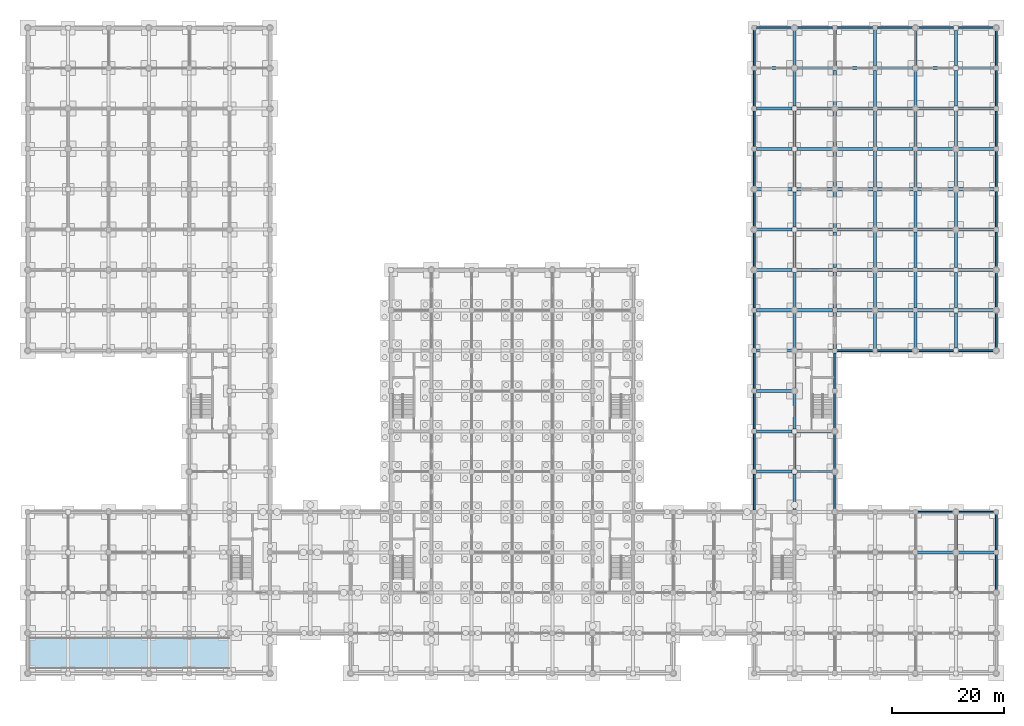
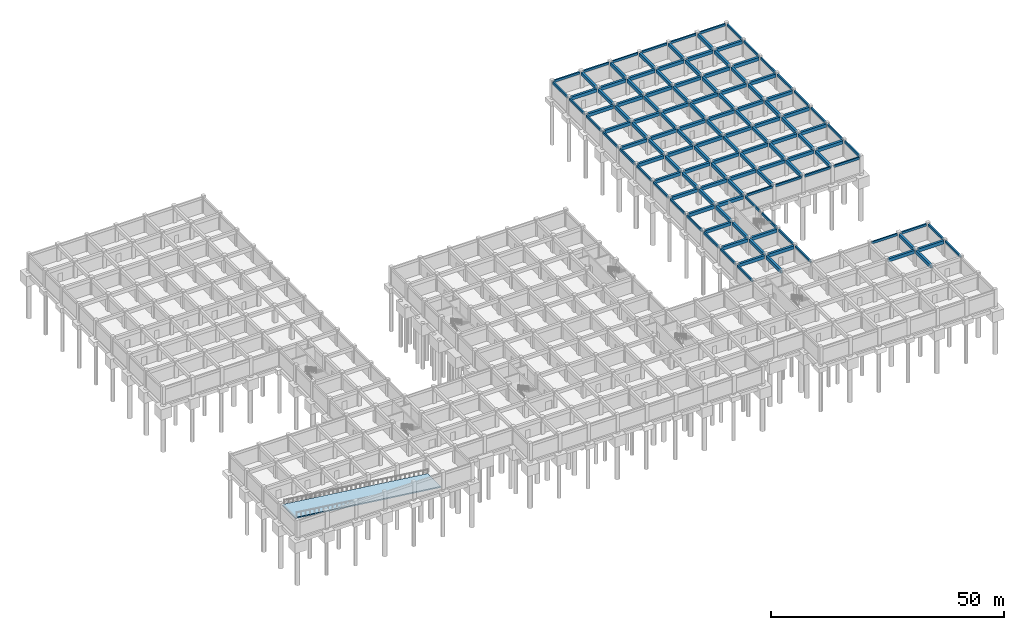
# One storey, part 12 of 25: 135 beams, 1 slab.
"""IFC4 building model written with IfcOpenShell, lengths in metres."""

from ifc_helpers import new_model, si_unit, direction, frame, origin, origin_2d, place, context, subcontext, project, spatial, polyline, rectangle, outline, extrude, material, layer, layer_set, material_profile, profile_set, type_object, element, save


model = new_model("IFC4")

# Units and contexts
model_context = context("Model", 3, precision=1e-05, world=origin(), true_north=direction((0.0, 1.0)))
body_context = subcontext(model_context, "Body", "Model", "MODEL_VIEW")
ifc_project = project(units=[si_unit("LENGTHUNIT", "METRE"), si_unit("AREAUNIT", "SQUARE_METRE"), si_unit("VOLUMEUNIT", "CUBIC_METRE"), si_unit("PLANEANGLEUNIT", "RADIAN"), si_unit("MASSUNIT", "GRAM", prefix="KILO")], contexts=[model_context])

# Site, building, storey
site_placement = place(None, origin())
site = spatial("IfcSite", under=ifc_project, at=site_placement, CompositionType="ELEMENT")
building_placement = place(site_placement, origin())
building = spatial("IfcBuilding", under=site, at=building_placement, Name="Cendaluz Park School", CompositionType="ELEMENT")
storey_placement = place(building_placement, frame((0.0, 0.0, -4.5)))
storey = spatial("IfcBuildingStorey", under=building, at=storey_placement, Name="B1", CompositionType="ELEMENT", Elevation=-4.5)

# Beams
ifc_material = material(Name="Concrete C40/50", Category="concrete")
ifc_material_profile_1 = material_profile(ifc_material, rectangle(XDim=0.550048828125, YDim=0.85009765625, at=origin_2d()), Name="RC 550x850", Category="concrete")
ifc_profile_set_1 = profile_set([ifc_material_profile_1], Name="Concrete C40/50")
beam_type_1 = type_object("IfcBeamType", Name="BM-RC01", PredefinedType="BEAM", material=ifc_profile_set_1)
for number, where, z_axis, x_axis, name in (
    (1, (130.0, 36.0, 3.72509765625), (1.0, 0.0, 0.0), (0.0, 1.0, 0.0), "BM-B1-BMRC01-0181"),
    (2, (130.0, 43.199951171875, 3.72509765625), (1.0, 0.0, 0.0), (0.0, 1.0, 0.0), "BM-B1-BMRC01-0182"),
    (3, (130.0, 50.39990234375, 3.72509765625), (1.0, 0.0, 0.0), (0.0, 1.0, 0.0), "BM-B1-BMRC01-0183"),
    (4, (130.0, 57.60009765625, 3.72509765625), (1.0, 0.0, 0.0), (0.0, 1.0, 0.0), "BM-B1-BMRC01-0184"),
    (5, (130.0, 64.800048828125, 3.72509765625), (1.0, 0.0, 0.0), (0.0, 1.0, 0.0), "BM-B1-BMRC01-0185"),
    (6, (130.0, 72.0, 3.72509765625), (1.0, 0.0, 0.0), (0.0, 1.0, 0.0), "BM-B1-BMRC01-0186"),
    (7, (130.0, 79.199951171875, 3.72509765625), (1.0, 0.0, 0.0), (0.0, 1.0, 0.0), "BM-B1-BMRC01-0187"),
    (8, (130.0, 86.39990234375, 3.72509765625), (1.0, 0.0, 0.0), (0.0, 1.0, 0.0), "BM-B1-BMRC01-0188"),
    (9, (130.0, 93.60009765625, 3.72509765625), (1.0, 0.0, 0.0), (0.0, 1.0, 0.0), "BM-B1-BMRC01-0189"),
    (10, (130.0, 100.800048828125, 3.72509765625), (1.0, 0.0, 0.0), (0.0, 1.0, 0.0), "BM-B1-BMRC01-0190"),
    (11, (130.0, 108.0, 3.72509765625), (1.0, 0.0, 0.0), (0.0, 1.0, 0.0), "BM-B1-BMRC01-0191"),
    (12, (137.25, 36.0, 3.72509765625), (1.0, 0.0, 0.0), (0.0, 1.0, 0.0), "BM-B1-BMRC01-0198"),
    (13, (137.25, 43.199951171875, 3.72509765625), (1.0, 0.0, 0.0), (0.0, 1.0, 0.0), "BM-B1-BMRC01-0199"),
    (14, (137.25, 57.60009765625, 3.72509765625), (1.0, 0.0, 0.0), (0.0, 1.0, 0.0), "BM-B1-BMRC01-0200"),
    (15, (137.25, 64.800048828125, 3.72509765625), (1.0, 0.0, 0.0), (0.0, 1.0, 0.0), "BM-B1-BMRC01-0201"),
    (16, (137.25, 72.0, 3.72509765625), (1.0, 0.0, 0.0), (0.0, 1.0, 0.0), "BM-B1-BMRC01-0202"),
    (17, (137.25, 79.199951171875, 3.72509765625), (1.0, 0.0, 0.0), (0.0, 1.0, 0.0), "BM-B1-BMRC01-0203"),
    (18, (137.25, 86.39990234375, 3.72509765625), (1.0, 0.0, 0.0), (0.0, 1.0, 0.0), "BM-B1-BMRC01-0204"),
    (19, (137.25, 93.60009765625, 3.72509765625), (1.0, 0.0, 0.0), (0.0, 1.0, 0.0), "BM-B1-BMRC01-0205"),
    (20, (137.25, 100.800048828125, 3.72509765625), (1.0, 0.0, 0.0), (0.0, 1.0, 0.0), "BM-B1-BMRC01-0206"),
    (21, (137.25, 108.0, 3.72509765625), (1.0, 0.0, 0.0), (0.0, 1.0, 0.0), "BM-B1-BMRC01-0207"),
):
    element("IfcBeam", number, at=place(storey_placement, frame(where, z_axis=z_axis, x_axis=x_axis)), inside=storey, type_object=beam_type_1, Name=name, PredefinedType="BEAM", context=body_context, shape_type="SweptSolid", body=[
        extrude(rectangle(XDim=0.550048828125, YDim=0.85009765625, at=origin_2d()), origin(), (0.0, 0.0, 1.0), 6.35009765625),
    ])
for number, where, z_axis, x_axis, name in (
    (22, (144.39990234375, 64.800048828125, 3.72509765625), (1.0, 0.0, 0.0), (0.0, 1.0, 0.0), "BM-B1-BMRC01-0215"),
    (23, (144.39990234375, 72.0, 3.72509765625), (1.0, 0.0, 0.0), (0.0, 1.0, 0.0), "BM-B1-BMRC01-0216"),
    (24, (144.39990234375, 79.199951171875, 3.72509765625), (1.0, 0.0, 0.0), (0.0, 1.0, 0.0), "BM-B1-BMRC01-0217"),
    (25, (144.39990234375, 86.39990234375, 3.72509765625), (1.0, 0.0, 0.0), (0.0, 1.0, 0.0), "BM-B1-BMRC01-0218"),
    (26, (144.39990234375, 93.60009765625, 3.72509765625), (1.0, 0.0, 0.0), (0.0, 1.0, 0.0), "BM-B1-BMRC01-0219"),
    (27, (144.39990234375, 100.800048828125, 3.72509765625), (1.0, 0.0, 0.0), (0.0, 1.0, 0.0), "BM-B1-BMRC01-0220"),
    (28, (144.39990234375, 108.0, 3.72509765625), (1.0, 0.0, 0.0), (0.0, 1.0, 0.0), "BM-B1-BMRC01-0221"),
):
    element("IfcBeam", number, at=place(storey_placement, frame(where, z_axis=z_axis, x_axis=x_axis)), inside=storey, type_object=beam_type_1, Name=name, PredefinedType="BEAM", context=body_context, shape_type="SweptSolid", body=[
        extrude(rectangle(XDim=0.550048828125, YDim=0.85009765625, at=origin_2d()), origin(), (0.0, 0.0, 1.0), 6.400146484375),
    ])
for number, where, z_axis, x_axis, name in (
    (29, (151.60009765625, 64.800048828125, 3.72509765625), (1.0, 0.0, 0.0), (0.0, 1.0, 0.0), "BM-B1-BMRC01-0229"),
    (30, (151.60009765625, 72.0, 3.72509765625), (1.0, 0.0, 0.0), (0.0, 1.0, 0.0), "BM-B1-BMRC01-0230"),
    (31, (151.60009765625, 79.199951171875, 3.72509765625), (1.0, 0.0, 0.0), (0.0, 1.0, 0.0), "BM-B1-BMRC01-0231"),
    (32, (151.60009765625, 86.39990234375, 3.72509765625), (1.0, 0.0, 0.0), (0.0, 1.0, 0.0), "BM-B1-BMRC01-0232"),
    (33, (151.60009765625, 93.60009765625, 3.72509765625), (1.0, 0.0, 0.0), (0.0, 1.0, 0.0), "BM-B1-BMRC01-0233"),
    (34, (151.60009765625, 100.800048828125, 3.72509765625), (1.0, 0.0, 0.0), (0.0, 1.0, 0.0), "BM-B1-BMRC01-0234"),
    (35, (151.60009765625, 108.0, 3.72509765625), (1.0, 0.0, 0.0), (0.0, 1.0, 0.0), "BM-B1-BMRC01-0235"),
):
    element("IfcBeam", number, at=place(storey_placement, frame(where, z_axis=z_axis, x_axis=x_axis)), inside=storey, type_object=beam_type_1, Name=name, PredefinedType="BEAM", context=body_context, shape_type="SweptSolid", body=[
        extrude(rectangle(XDim=0.550048828125, YDim=0.85009765625, at=origin_2d()), origin(), (0.0, 0.0, 1.0), 6.39990234375),
    ])
for number, where, z_axis, x_axis, name in (
    (36, (158.800048828125, 21.60009765625, 3.72509765625), (1.0, 0.0, 0.0), (0.0, 1.0, 0.0), "BM-B1-BMRC01-0240"),
    (37, (158.800048828125, 64.800048828125, 3.72509765625), (1.0, 0.0, 0.0), (0.0, 1.0, 0.0), "BM-B1-BMRC01-0243"),
    (38, (158.800048828125, 72.0, 3.72509765625), (1.0, 0.0, 0.0), (0.0, 1.0, 0.0), "BM-B1-BMRC01-0244"),
    (39, (158.800048828125, 79.199951171875, 3.72509765625), (1.0, 0.0, 0.0), (0.0, 1.0, 0.0), "BM-B1-BMRC01-0245"),
    (40, (158.800048828125, 86.39990234375, 3.72509765625), (1.0, 0.0, 0.0), (0.0, 1.0, 0.0), "BM-B1-BMRC01-0246"),
    (41, (158.800048828125, 93.60009765625, 3.72509765625), (1.0, 0.0, 0.0), (0.0, 1.0, 0.0), "BM-B1-BMRC01-0247"),
    (42, (158.800048828125, 100.800048828125, 3.72509765625), (1.0, 0.0, 0.0), (0.0, 1.0, 0.0), "BM-B1-BMRC01-0248"),
    (43, (158.800048828125, 108.0, 3.72509765625), (1.0, 0.0, 0.0), (0.0, 1.0, 0.0), "BM-B1-BMRC01-0249"),
    (44, (166.050048828125, 21.60009765625, 3.72509765625), (1.0, 0.0, 0.0), (0.0, 1.0, 0.0), "BM-B1-BMRC01-0254"),
    (45, (166.050048828125, 64.800048828125, 3.72509765625), (1.0, 0.0, 0.0), (0.0, 1.0, 0.0), "BM-B1-BMRC01-0257"),
    (46, (166.050048828125, 72.0, 3.72509765625), (1.0, 0.0, 0.0), (0.0, 1.0, 0.0), "BM-B1-BMRC01-0258"),
    (47, (166.050048828125, 79.199951171875, 3.72509765625), (1.0, 0.0, 0.0), (0.0, 1.0, 0.0), "BM-B1-BMRC01-0259"),
    (48, (166.050048828125, 86.39990234375, 3.72509765625), (1.0, 0.0, 0.0), (0.0, 1.0, 0.0), "BM-B1-BMRC01-0260"),
    (49, (166.050048828125, 93.60009765625, 3.72509765625), (1.0, 0.0, 0.0), (0.0, 1.0, 0.0), "BM-B1-BMRC01-0261"),
    (50, (166.050048828125, 100.800048828125, 3.72509765625), (1.0, 0.0, 0.0), (0.0, 1.0, 0.0), "BM-B1-BMRC01-0262"),
    (51, (166.050048828125, 108.0, 3.72509765625), (1.0, 0.0, 0.0), (0.0, 1.0, 0.0), "BM-B1-BMRC01-0263"),
):
    element("IfcBeam", number, at=place(storey_placement, frame(where, z_axis=z_axis, x_axis=x_axis)), inside=storey, type_object=beam_type_1, Name=name, PredefinedType="BEAM", context=body_context, shape_type="SweptSolid", body=[
        extrude(rectangle(XDim=0.550048828125, YDim=0.85009765625, at=origin_2d()), origin(), (0.0, 0.0, 1.0), 6.349853515625),
    ])
for number, where, z_axis, x_axis, name in (
    (52, (136.800048828125, 29.25, 3.72509765625), (0.0, 1.0, 0.0), (-1.0, 0.0, 0.0), "BM-B1-BMRC01-0464"),
    (53, (136.800048828125, 36.449951171875, 3.72509765625), (0.0, 1.0, 0.0), (-1.0, 0.0, 0.0), "BM-B1-BMRC01-0465"),
    (54, (136.800048828125, 43.64990234375, 3.72509765625), (0.0, 1.0, 0.0), (-1.0, 0.0, 0.0), "BM-B1-BMRC01-0466"),
):
    element("IfcBeam", number, at=place(storey_placement, frame(where, z_axis=z_axis, x_axis=x_axis)), inside=storey, type_object=beam_type_1, Name=name, PredefinedType="BEAM", context=body_context, shape_type="SweptSolid", body=[
        extrude(rectangle(XDim=0.550048828125, YDim=0.85009765625, at=origin_2d()), origin(), (0.0, 0.0, 1.0), 6.300048828125),
    ])
beam_1_placement = place(storey_placement, frame((136.800048828125, 50.85009765625, 3.72509765625), z_axis=(0.0, 1.0, 0.0), x_axis=(-1.0, 0.0, 0.0)))
element("IfcBeam", 55, at=beam_1_placement, inside=storey, type_object=beam_type_1, Name="BM-B1-BMRC01-0467", PredefinedType="BEAM", context=body_context, shape_type="SweptSolid", body=[
    extrude(rectangle(XDim=0.550048828125, YDim=0.85009765625, at=origin_2d()), origin(), (0.0, 0.0, 1.0), 6.2998046875),
])
for number, where, z_axis, x_axis, name in (
    (56, (136.800048828125, 58.050048828125, 3.72509765625), (0.0, 1.0, 0.0), (-1.0, 0.0, 0.0), "BM-B1-BMRC01-0468"),
    (57, (136.800048828125, 65.25, 3.72509765625), (0.0, 1.0, 0.0), (-1.0, 0.0, 0.0), "BM-B1-BMRC01-0469"),
    (58, (136.800048828125, 72.449951171875, 3.72509765625), (0.0, 1.0, 0.0), (-1.0, 0.0, 0.0), "BM-B1-BMRC01-0470"),
    (59, (136.800048828125, 79.64990234375, 3.72509765625), (0.0, 1.0, 0.0), (-1.0, 0.0, 0.0), "BM-B1-BMRC01-0471"),
):
    element("IfcBeam", number, at=place(storey_placement, frame(where, z_axis=z_axis, x_axis=x_axis)), inside=storey, type_object=beam_type_1, Name=name, PredefinedType="BEAM", context=body_context, shape_type="SweptSolid", body=[
        extrude(rectangle(XDim=0.550048828125, YDim=0.85009765625, at=origin_2d()), origin(), (0.0, 0.0, 1.0), 6.300048828125),
    ])
beam_2_placement = place(storey_placement, frame((136.800048828125, 86.85009765625, 3.72509765625), z_axis=(0.0, 1.0, 0.0), x_axis=(-1.0, 0.0, 0.0)))
element("IfcBeam", 60, at=beam_2_placement, inside=storey, type_object=beam_type_1, Name="BM-B1-BMRC01-0472", PredefinedType="BEAM", context=body_context, shape_type="SweptSolid", body=[
    extrude(rectangle(XDim=0.550048828125, YDim=0.85009765625, at=origin_2d()), origin(), (0.0, 0.0, 1.0), 6.2998046875),
])
for number, where, z_axis, x_axis, name in (
    (61, (136.800048828125, 94.050048828125, 3.72509765625), (0.0, 1.0, 0.0), (-1.0, 0.0, 0.0), "BM-B1-BMRC01-0473"),
    (62, (136.800048828125, 101.25, 3.72509765625), (0.0, 1.0, 0.0), (-1.0, 0.0, 0.0), "BM-B1-BMRC01-0474"),
    (63, (136.800048828125, 108.449951171875, 3.72509765625), (0.0, 1.0, 0.0), (-1.0, 0.0, 0.0), "BM-B1-BMRC01-0475"),
):
    element("IfcBeam", number, at=place(storey_placement, frame(where, z_axis=z_axis, x_axis=x_axis)), inside=storey, type_object=beam_type_1, Name=name, PredefinedType="BEAM", context=body_context, shape_type="SweptSolid", body=[
        extrude(rectangle(XDim=0.550048828125, YDim=0.85009765625, at=origin_2d()), origin(), (0.0, 0.0, 1.0), 6.300048828125),
    ])
beam_3_placement = place(storey_placement, frame((144.0, 58.0, 3.72509765625), z_axis=(0.0, 1.0, 0.0), x_axis=(-1.0, 0.0, 0.0)))
element("IfcBeam", 64, at=beam_3_placement, inside=storey, type_object=beam_type_1, Name="BM-B1-BMRC01-0484", PredefinedType="BEAM", context=body_context, shape_type="SweptSolid", body=[
    extrude(rectangle(XDim=0.550048828125, YDim=0.85009765625, at=origin_2d()), origin(), (0.0, 0.0, 1.0), 6.39990234375),
])
for number, where, z_axis, x_axis, name in (
    (65, (144.0, 65.199951171875, 3.72509765625), (0.0, 1.0, 0.0), (-1.0, 0.0, 0.0), "BM-B1-BMRC01-0485"),
    (66, (144.0, 72.39990234375, 3.72509765625), (0.0, 1.0, 0.0), (-1.0, 0.0, 0.0), "BM-B1-BMRC01-0486"),
):
    element("IfcBeam", number, at=place(storey_placement, frame(where, z_axis=z_axis, x_axis=x_axis)), inside=storey, type_object=beam_type_1, Name=name, PredefinedType="BEAM", context=body_context, shape_type="SweptSolid", body=[
        extrude(rectangle(XDim=0.550048828125, YDim=0.85009765625, at=origin_2d()), origin(), (0.0, 0.0, 1.0), 6.400146484375),
    ])
for number, where, z_axis, x_axis, name in (
    (67, (144.0, 79.60009765625, 3.72509765625), (0.0, 1.0, 0.0), (-1.0, 0.0, 0.0), "BM-B1-BMRC01-0487"),
    (68, (144.0, 86.800048828125, 3.72509765625), (0.0, 1.0, 0.0), (-1.0, 0.0, 0.0), "BM-B1-BMRC01-0488"),
    (69, (144.0, 94.0, 3.72509765625), (0.0, 1.0, 0.0), (-1.0, 0.0, 0.0), "BM-B1-BMRC01-0489"),
):
    element("IfcBeam", number, at=place(storey_placement, frame(where, z_axis=z_axis, x_axis=x_axis)), inside=storey, type_object=beam_type_1, Name=name, PredefinedType="BEAM", context=body_context, shape_type="SweptSolid", body=[
        extrude(rectangle(XDim=0.550048828125, YDim=0.85009765625, at=origin_2d()), origin(), (0.0, 0.0, 1.0), 6.39990234375),
    ])
for number, where, z_axis, x_axis, name in (
    (70, (144.0, 101.199951171875, 3.72509765625), (0.0, 1.0, 0.0), (-1.0, 0.0, 0.0), "BM-B1-BMRC01-0490"),
    (71, (144.0, 108.39990234375, 3.72509765625), (0.0, 1.0, 0.0), (-1.0, 0.0, 0.0), "BM-B1-BMRC01-0491"),
):
    element("IfcBeam", number, at=place(storey_placement, frame(where, z_axis=z_axis, x_axis=x_axis)), inside=storey, type_object=beam_type_1, Name=name, PredefinedType="BEAM", context=body_context, shape_type="SweptSolid", body=[
        extrude(rectangle(XDim=0.550048828125, YDim=0.85009765625, at=origin_2d()), origin(), (0.0, 0.0, 1.0), 6.400146484375),
    ])
beam_4_placement = place(storey_placement, frame((151.199951171875, 58.0, 3.72509765625), z_axis=(0.0, 1.0, 0.0), x_axis=(-1.0, 0.0, 0.0)))
element("IfcBeam", 72, at=beam_4_placement, inside=storey, type_object=beam_type_1, Name="BM-B1-BMRC01-0496", PredefinedType="BEAM", context=body_context, shape_type="SweptSolid", body=[
    extrude(rectangle(XDim=0.550048828125, YDim=0.85009765625, at=origin_2d()), origin(), (0.0, 0.0, 1.0), 6.39990234375),
])
for number, where, z_axis, x_axis, name in (
    (73, (151.199951171875, 65.199951171875, 3.72509765625), (0.0, 1.0, 0.0), (-1.0, 0.0, 0.0), "BM-B1-BMRC01-0497"),
    (74, (151.199951171875, 72.39990234375, 3.72509765625), (0.0, 1.0, 0.0), (-1.0, 0.0, 0.0), "BM-B1-BMRC01-0498"),
):
    element("IfcBeam", number, at=place(storey_placement, frame(where, z_axis=z_axis, x_axis=x_axis)), inside=storey, type_object=beam_type_1, Name=name, PredefinedType="BEAM", context=body_context, shape_type="SweptSolid", body=[
        extrude(rectangle(XDim=0.550048828125, YDim=0.85009765625, at=origin_2d()), origin(), (0.0, 0.0, 1.0), 6.400146484375),
    ])
for number, where, z_axis, x_axis, name in (
    (75, (151.199951171875, 79.60009765625, 3.72509765625), (0.0, 1.0, 0.0), (-1.0, 0.0, 0.0), "BM-B1-BMRC01-0499"),
    (76, (151.199951171875, 86.800048828125, 3.72509765625), (0.0, 1.0, 0.0), (-1.0, 0.0, 0.0), "BM-B1-BMRC01-0500"),
    (77, (151.199951171875, 94.0, 3.72509765625), (0.0, 1.0, 0.0), (-1.0, 0.0, 0.0), "BM-B1-BMRC01-0501"),
):
    element("IfcBeam", number, at=place(storey_placement, frame(where, z_axis=z_axis, x_axis=x_axis)), inside=storey, type_object=beam_type_1, Name=name, PredefinedType="BEAM", context=body_context, shape_type="SweptSolid", body=[
        extrude(rectangle(XDim=0.550048828125, YDim=0.85009765625, at=origin_2d()), origin(), (0.0, 0.0, 1.0), 6.39990234375),
    ])
for number, where, z_axis, x_axis, name in (
    (78, (151.199951171875, 101.199951171875, 3.72509765625), (0.0, 1.0, 0.0), (-1.0, 0.0, 0.0), "BM-B1-BMRC01-0502"),
    (79, (151.199951171875, 108.39990234375, 3.72509765625), (0.0, 1.0, 0.0), (-1.0, 0.0, 0.0), "BM-B1-BMRC01-0503"),
):
    element("IfcBeam", number, at=place(storey_placement, frame(where, z_axis=z_axis, x_axis=x_axis)), inside=storey, type_object=beam_type_1, Name=name, PredefinedType="BEAM", context=body_context, shape_type="SweptSolid", body=[
        extrude(rectangle(XDim=0.550048828125, YDim=0.85009765625, at=origin_2d()), origin(), (0.0, 0.0, 1.0), 6.400146484375),
    ])
beam_5_placement = place(storey_placement, frame((158.39990234375, 58.0, 3.72509765625), z_axis=(0.0, 1.0, 0.0), x_axis=(-1.0, 0.0, 0.0)))
element("IfcBeam", 80, at=beam_5_placement, inside=storey, type_object=beam_type_1, Name="BM-B1-BMRC01-0508", PredefinedType="BEAM", context=body_context, shape_type="SweptSolid", body=[
    extrude(rectangle(XDim=0.550048828125, YDim=0.85009765625, at=origin_2d()), origin(), (0.0, 0.0, 1.0), 6.39990234375),
])
for number, where, z_axis, x_axis, name in (
    (81, (158.39990234375, 65.199951171875, 3.72509765625), (0.0, 1.0, 0.0), (-1.0, 0.0, 0.0), "BM-B1-BMRC01-0509"),
    (82, (158.39990234375, 72.39990234375, 3.72509765625), (0.0, 1.0, 0.0), (-1.0, 0.0, 0.0), "BM-B1-BMRC01-0510"),
):
    element("IfcBeam", number, at=place(storey_placement, frame(where, z_axis=z_axis, x_axis=x_axis)), inside=storey, type_object=beam_type_1, Name=name, PredefinedType="BEAM", context=body_context, shape_type="SweptSolid", body=[
        extrude(rectangle(XDim=0.550048828125, YDim=0.85009765625, at=origin_2d()), origin(), (0.0, 0.0, 1.0), 6.400146484375),
    ])
for number, where, z_axis, x_axis, name in (
    (83, (158.39990234375, 79.60009765625, 3.72509765625), (0.0, 1.0, 0.0), (-1.0, 0.0, 0.0), "BM-B1-BMRC01-0511"),
    (84, (158.39990234375, 86.800048828125, 3.72509765625), (0.0, 1.0, 0.0), (-1.0, 0.0, 0.0), "BM-B1-BMRC01-0512"),
    (85, (158.39990234375, 94.0, 3.72509765625), (0.0, 1.0, 0.0), (-1.0, 0.0, 0.0), "BM-B1-BMRC01-0513"),
):
    element("IfcBeam", number, at=place(storey_placement, frame(where, z_axis=z_axis, x_axis=x_axis)), inside=storey, type_object=beam_type_1, Name=name, PredefinedType="BEAM", context=body_context, shape_type="SweptSolid", body=[
        extrude(rectangle(XDim=0.550048828125, YDim=0.85009765625, at=origin_2d()), origin(), (0.0, 0.0, 1.0), 6.39990234375),
    ])
for number, where, z_axis, x_axis, name in (
    (86, (158.39990234375, 101.199951171875, 3.72509765625), (0.0, 1.0, 0.0), (-1.0, 0.0, 0.0), "BM-B1-BMRC01-0514"),
    (87, (158.39990234375, 108.39990234375, 3.72509765625), (0.0, 1.0, 0.0), (-1.0, 0.0, 0.0), "BM-B1-BMRC01-0515"),
):
    element("IfcBeam", number, at=place(storey_placement, frame(where, z_axis=z_axis, x_axis=x_axis)), inside=storey, type_object=beam_type_1, Name=name, PredefinedType="BEAM", context=body_context, shape_type="SweptSolid", body=[
        extrude(rectangle(XDim=0.550048828125, YDim=0.85009765625, at=origin_2d()), origin(), (0.0, 0.0, 1.0), 6.400146484375),
    ])
beam_6_placement = place(storey_placement, frame((165.60009765625, 14.85009765625, 3.72509765625), z_axis=(0.0, 1.0, 0.0), x_axis=(-1.0, 0.0, 0.0)))
element("IfcBeam", 88, at=beam_6_placement, inside=storey, type_object=beam_type_1, Name="BM-B1-BMRC01-0518", PredefinedType="BEAM", context=body_context, shape_type="SweptSolid", body=[
    extrude(rectangle(XDim=0.550048828125, YDim=0.85009765625, at=origin_2d()), origin(), (0.0, 0.0, 1.0), 6.2998046875),
])
for number, where, z_axis, x_axis, name in (
    (89, (165.60009765625, 22.050048828125, 3.72509765625), (0.0, 1.0, 0.0), (-1.0, 0.0, 0.0), "BM-B1-BMRC01-0519"),
    (90, (165.60009765625, 58.050048828125, 3.72509765625), (0.0, 1.0, 0.0), (-1.0, 0.0, 0.0), "BM-B1-BMRC01-0520"),
    (91, (165.60009765625, 65.25, 3.72509765625), (0.0, 1.0, 0.0), (-1.0, 0.0, 0.0), "BM-B1-BMRC01-0521"),
    (92, (165.60009765625, 72.449951171875, 3.72509765625), (0.0, 1.0, 0.0), (-1.0, 0.0, 0.0), "BM-B1-BMRC01-0522"),
    (93, (165.60009765625, 79.64990234375, 3.72509765625), (0.0, 1.0, 0.0), (-1.0, 0.0, 0.0), "BM-B1-BMRC01-0523"),
):
    element("IfcBeam", number, at=place(storey_placement, frame(where, z_axis=z_axis, x_axis=x_axis)), inside=storey, type_object=beam_type_1, Name=name, PredefinedType="BEAM", context=body_context, shape_type="SweptSolid", body=[
        extrude(rectangle(XDim=0.550048828125, YDim=0.85009765625, at=origin_2d()), origin(), (0.0, 0.0, 1.0), 6.300048828125),
    ])
beam_7_placement = place(storey_placement, frame((165.60009765625, 86.85009765625, 3.72509765625), z_axis=(0.0, 1.0, 0.0), x_axis=(-1.0, 0.0, 0.0)))
element("IfcBeam", 94, at=beam_7_placement, inside=storey, type_object=beam_type_1, Name="BM-B1-BMRC01-0524", PredefinedType="BEAM", context=body_context, shape_type="SweptSolid", body=[
    extrude(rectangle(XDim=0.550048828125, YDim=0.85009765625, at=origin_2d()), origin(), (0.0, 0.0, 1.0), 6.2998046875),
])
for number, where, z_axis, x_axis, name in (
    (95, (165.60009765625, 94.050048828125, 3.72509765625), (0.0, 1.0, 0.0), (-1.0, 0.0, 0.0), "BM-B1-BMRC01-0525"),
    (96, (165.60009765625, 101.25, 3.72509765625), (0.0, 1.0, 0.0), (-1.0, 0.0, 0.0), "BM-B1-BMRC01-0526"),
    (97, (165.60009765625, 108.449951171875, 3.72509765625), (0.0, 1.0, 0.0), (-1.0, 0.0, 0.0), "BM-B1-BMRC01-0527"),
):
    element("IfcBeam", number, at=place(storey_placement, frame(where, z_axis=z_axis, x_axis=x_axis)), inside=storey, type_object=beam_type_1, Name=name, PredefinedType="BEAM", context=body_context, shape_type="SweptSolid", body=[
        extrude(rectangle(XDim=0.550048828125, YDim=0.85009765625, at=origin_2d()), origin(), (0.0, 0.0, 1.0), 6.300048828125),
    ])
ifc_material_profile_2 = material_profile(ifc_material, rectangle(XDim=0.35009765625, YDim=0.580078125, at=origin_2d()), Name="RC 350x580", Category="concrete")
ifc_profile_set_2 = profile_set([ifc_material_profile_2], Name="Concrete C40/50")
beam_type_2 = type_object("IfcBeamType", Name="BM-RC04", PredefinedType="LINTEL", material=ifc_profile_set_2)
for number, where, z_axis, x_axis, name in (
    (98, (130.0, 115.199951171875, 3.860107421875), (1.0, 0.0, 0.0), (0.0, 1.0, 0.0), "BM-B1-BMRC04-0192"),
    (99, (137.25, 115.199951171875, 3.860107421875), (1.0, 0.0, 0.0), (0.0, 1.0, 0.0), "BM-B1-BMRC04-0208"),
):
    element("IfcBeam", number, at=place(storey_placement, frame(where, z_axis=z_axis, x_axis=x_axis)), inside=storey, type_object=beam_type_2, Name=name, PredefinedType="LINTEL", context=body_context, shape_type="SweptSolid", body=[
        extrude(rectangle(XDim=0.35009765625, YDim=0.580078125, at=origin_2d()), origin(), (0.0, 0.0, 1.0), 6.35009765625),
    ])
for number, where, z_axis, x_axis, name in (
    (100, (144.39990234375, 57.60009765625, 3.860107421875), (1.0, 0.0, 0.0), (0.0, 1.0, 0.0), "BM-B1-BMRC04-0214"),
    (101, (144.39990234375, 115.199951171875, 3.860107421875), (1.0, 0.0, 0.0), (0.0, 1.0, 0.0), "BM-B1-BMRC04-0222"),
):
    element("IfcBeam", number, at=place(storey_placement, frame(where, z_axis=z_axis, x_axis=x_axis)), inside=storey, type_object=beam_type_2, Name=name, PredefinedType="LINTEL", context=body_context, shape_type="SweptSolid", body=[
        extrude(rectangle(XDim=0.35009765625, YDim=0.580078125, at=origin_2d()), origin(), (0.0, 0.0, 1.0), 6.400146484375),
    ])
for number, where, z_axis, x_axis, name in (
    (102, (151.60009765625, 57.60009765625, 3.860107421875), (1.0, 0.0, 0.0), (0.0, 1.0, 0.0), "BM-B1-BMRC04-0228"),
    (103, (151.60009765625, 115.199951171875, 3.860107421875), (1.0, 0.0, 0.0), (0.0, 1.0, 0.0), "BM-B1-BMRC04-0236"),
):
    element("IfcBeam", number, at=place(storey_placement, frame(where, z_axis=z_axis, x_axis=x_axis)), inside=storey, type_object=beam_type_2, Name=name, PredefinedType="LINTEL", context=body_context, shape_type="SweptSolid", body=[
        extrude(rectangle(XDim=0.35009765625, YDim=0.580078125, at=origin_2d()), origin(), (0.0, 0.0, 1.0), 6.39990234375),
    ])
for number, where, z_axis, x_axis, name in (
    (104, (158.800048828125, 28.800048828125, 3.860107421875), (1.0, 0.0, 0.0), (0.0, 1.0, 0.0), "BM-B1-BMRC04-0241"),
    (105, (158.800048828125, 57.60009765625, 3.860107421875), (1.0, 0.0, 0.0), (0.0, 1.0, 0.0), "BM-B1-BMRC04-0242"),
    (106, (158.800048828125, 115.199951171875, 3.860107421875), (1.0, 0.0, 0.0), (0.0, 1.0, 0.0), "BM-B1-BMRC04-0250"),
    (107, (166.050048828125, 28.800048828125, 3.860107421875), (1.0, 0.0, 0.0), (0.0, 1.0, 0.0), "BM-B1-BMRC04-0255"),
    (108, (166.050048828125, 57.60009765625, 3.860107421875), (1.0, 0.0, 0.0), (0.0, 1.0, 0.0), "BM-B1-BMRC04-0256"),
    (109, (166.050048828125, 115.199951171875, 3.860107421875), (1.0, 0.0, 0.0), (0.0, 1.0, 0.0), "BM-B1-BMRC04-0264"),
):
    element("IfcBeam", number, at=place(storey_placement, frame(where, z_axis=z_axis, x_axis=x_axis)), inside=storey, type_object=beam_type_2, Name=name, PredefinedType="LINTEL", context=body_context, shape_type="SweptSolid", body=[
        extrude(rectangle(XDim=0.35009765625, YDim=0.580078125, at=origin_2d()), origin(), (0.0, 0.0, 1.0), 6.349853515625),
    ])
for number, where, z_axis, x_axis, name in (
    (110, (129.60009765625, 29.199951171875, 3.860107421875), (0.0, 1.0, 0.0), (-1.0, 0.0, 0.0), "BM-B1-BMRC04-0448"),
    (111, (129.60009765625, 36.39990234375, 3.860107421875), (0.0, 1.0, 0.0), (-1.0, 0.0, 0.0), "BM-B1-BMRC04-0449"),
):
    element("IfcBeam", number, at=place(storey_placement, frame(where, z_axis=z_axis, x_axis=x_axis)), inside=storey, type_object=beam_type_2, Name=name, PredefinedType="LINTEL", context=body_context, shape_type="SweptSolid", body=[
        extrude(rectangle(XDim=0.35009765625, YDim=0.580078125, at=origin_2d()), origin(), (0.0, 0.0, 1.0), 6.400146484375),
    ])
for number, where, z_axis, x_axis, name in (
    (112, (129.60009765625, 43.60009765625, 3.860107421875), (0.0, 1.0, 0.0), (-1.0, 0.0, 0.0), "BM-B1-BMRC04-0450"),
    (113, (129.60009765625, 50.800048828125, 3.860107421875), (0.0, 1.0, 0.0), (-1.0, 0.0, 0.0), "BM-B1-BMRC04-0451"),
    (114, (129.60009765625, 58.0, 3.860107421875), (0.0, 1.0, 0.0), (-1.0, 0.0, 0.0), "BM-B1-BMRC04-0452"),
):
    element("IfcBeam", number, at=place(storey_placement, frame(where, z_axis=z_axis, x_axis=x_axis)), inside=storey, type_object=beam_type_2, Name=name, PredefinedType="LINTEL", context=body_context, shape_type="SweptSolid", body=[
        extrude(rectangle(XDim=0.35009765625, YDim=0.580078125, at=origin_2d()), origin(), (0.0, 0.0, 1.0), 6.39990234375),
    ])
for number, where, z_axis, x_axis, name in (
    (115, (129.60009765625, 65.199951171875, 3.860107421875), (0.0, 1.0, 0.0), (-1.0, 0.0, 0.0), "BM-B1-BMRC04-0453"),
    (116, (129.60009765625, 72.39990234375, 3.860107421875), (0.0, 1.0, 0.0), (-1.0, 0.0, 0.0), "BM-B1-BMRC04-0454"),
):
    element("IfcBeam", number, at=place(storey_placement, frame(where, z_axis=z_axis, x_axis=x_axis)), inside=storey, type_object=beam_type_2, Name=name, PredefinedType="LINTEL", context=body_context, shape_type="SweptSolid", body=[
        extrude(rectangle(XDim=0.35009765625, YDim=0.580078125, at=origin_2d()), origin(), (0.0, 0.0, 1.0), 6.400146484375),
    ])
for number, where, z_axis, x_axis, name in (
    (117, (129.60009765625, 79.60009765625, 3.860107421875), (0.0, 1.0, 0.0), (-1.0, 0.0, 0.0), "BM-B1-BMRC04-0455"),
    (118, (129.60009765625, 86.800048828125, 3.860107421875), (0.0, 1.0, 0.0), (-1.0, 0.0, 0.0), "BM-B1-BMRC04-0456"),
    (119, (129.60009765625, 94.0, 3.860107421875), (0.0, 1.0, 0.0), (-1.0, 0.0, 0.0), "BM-B1-BMRC04-0457"),
):
    element("IfcBeam", number, at=place(storey_placement, frame(where, z_axis=z_axis, x_axis=x_axis)), inside=storey, type_object=beam_type_2, Name=name, PredefinedType="LINTEL", context=body_context, shape_type="SweptSolid", body=[
        extrude(rectangle(XDim=0.35009765625, YDim=0.580078125, at=origin_2d()), origin(), (0.0, 0.0, 1.0), 6.39990234375),
    ])
for number, where, z_axis, x_axis, name in (
    (120, (129.60009765625, 101.199951171875, 3.860107421875), (0.0, 1.0, 0.0), (-1.0, 0.0, 0.0), "BM-B1-BMRC04-0458"),
    (121, (129.60009765625, 108.39990234375, 3.860107421875), (0.0, 1.0, 0.0), (-1.0, 0.0, 0.0), "BM-B1-BMRC04-0459"),
    (122, (144.0, 29.199951171875, 3.860107421875), (0.0, 1.0, 0.0), (-1.0, 0.0, 0.0), "BM-B1-BMRC04-0480"),
    (123, (144.0, 36.39990234375, 3.860107421875), (0.0, 1.0, 0.0), (-1.0, 0.0, 0.0), "BM-B1-BMRC04-0481"),
):
    element("IfcBeam", number, at=place(storey_placement, frame(where, z_axis=z_axis, x_axis=x_axis)), inside=storey, type_object=beam_type_2, Name=name, PredefinedType="LINTEL", context=body_context, shape_type="SweptSolid", body=[
        extrude(rectangle(XDim=0.35009765625, YDim=0.580078125, at=origin_2d()), origin(), (0.0, 0.0, 1.0), 6.400146484375),
    ])
for number, where, z_axis, x_axis, name in (
    (124, (144.0, 43.60009765625, 3.860107421875), (0.0, 1.0, 0.0), (-1.0, 0.0, 0.0), "BM-B1-BMRC04-0482"),
    (125, (144.0, 50.800048828125, 3.860107421875), (0.0, 1.0, 0.0), (-1.0, 0.0, 0.0), "BM-B1-BMRC04-0483"),
    (126, (172.800048828125, 14.800048828125, 3.860107421875), (0.0, 1.0, 0.0), (-1.0, 0.0, 0.0), "BM-B1-BMRC04-0530"),
    (127, (172.800048828125, 22.0, 3.860107421875), (0.0, 1.0, 0.0), (-1.0, 0.0, 0.0), "BM-B1-BMRC04-0531"),
    (128, (172.800048828125, 58.0, 3.860107421875), (0.0, 1.0, 0.0), (-1.0, 0.0, 0.0), "BM-B1-BMRC04-0532"),
):
    element("IfcBeam", number, at=place(storey_placement, frame(where, z_axis=z_axis, x_axis=x_axis)), inside=storey, type_object=beam_type_2, Name=name, PredefinedType="LINTEL", context=body_context, shape_type="SweptSolid", body=[
        extrude(rectangle(XDim=0.35009765625, YDim=0.580078125, at=origin_2d()), origin(), (0.0, 0.0, 1.0), 6.39990234375),
    ])
for number, where, z_axis, x_axis, name in (
    (129, (172.800048828125, 65.199951171875, 3.860107421875), (0.0, 1.0, 0.0), (-1.0, 0.0, 0.0), "BM-B1-BMRC04-0533"),
    (130, (172.800048828125, 72.39990234375, 3.860107421875), (0.0, 1.0, 0.0), (-1.0, 0.0, 0.0), "BM-B1-BMRC04-0534"),
):
    element("IfcBeam", number, at=place(storey_placement, frame(where, z_axis=z_axis, x_axis=x_axis)), inside=storey, type_object=beam_type_2, Name=name, PredefinedType="LINTEL", context=body_context, shape_type="SweptSolid", body=[
        extrude(rectangle(XDim=0.35009765625, YDim=0.580078125, at=origin_2d()), origin(), (0.0, 0.0, 1.0), 6.400146484375),
    ])
for number, where, z_axis, x_axis, name in (
    (131, (172.800048828125, 79.60009765625, 3.860107421875), (0.0, 1.0, 0.0), (-1.0, 0.0, 0.0), "BM-B1-BMRC04-0535"),
    (132, (172.800048828125, 86.800048828125, 3.860107421875), (0.0, 1.0, 0.0), (-1.0, 0.0, 0.0), "BM-B1-BMRC04-0536"),
    (133, (172.800048828125, 94.0, 3.860107421875), (0.0, 1.0, 0.0), (-1.0, 0.0, 0.0), "BM-B1-BMRC04-0537"),
):
    element("IfcBeam", number, at=place(storey_placement, frame(where, z_axis=z_axis, x_axis=x_axis)), inside=storey, type_object=beam_type_2, Name=name, PredefinedType="LINTEL", context=body_context, shape_type="SweptSolid", body=[
        extrude(rectangle(XDim=0.35009765625, YDim=0.580078125, at=origin_2d()), origin(), (0.0, 0.0, 1.0), 6.39990234375),
    ])
for number, where, z_axis, x_axis, name in (
    (134, (172.800048828125, 101.199951171875, 3.860107421875), (0.0, 1.0, 0.0), (-1.0, 0.0, 0.0), "BM-B1-BMRC04-0538"),
    (135, (172.800048828125, 108.39990234375, 3.860107421875), (0.0, 1.0, 0.0), (-1.0, 0.0, 0.0), "BM-B1-BMRC04-0539"),
):
    element("IfcBeam", number, at=place(storey_placement, frame(where, z_axis=z_axis, x_axis=x_axis)), inside=storey, type_object=beam_type_2, Name=name, PredefinedType="LINTEL", context=body_context, shape_type="SweptSolid", body=[
        extrude(rectangle(XDim=0.35009765625, YDim=0.580078125, at=origin_2d()), origin(), (0.0, 0.0, 1.0), 6.400146484375),
    ])

# Slab
ifc_layer = layer(ifc_material, 0.300048828125)
ifc_layer_set = layer_set([ifc_layer], Name="Concrete C40/50")
slab_type = type_object("IfcSlabType", Name="RF-VH01", PredefinedType="FLOOR", material=ifc_layer_set)
slab_placement = place(storey_placement, frame((36.0, 0.800048828125, 0.0), z_axis=(0.124034734589, 0.0, 0.992277876714), x_axis=(0.0, 1.0, 0.0)))
element("IfcSlab", 136, at=slab_placement, inside=storey, type_object=slab_type, Name="Vehicle Ramp Slab RF-B1-01", PredefinedType="FLOOR", context=body_context, shape_type="SweptSolid", body=[
    extrude(outline(polyline([(0.0, 0.0), (5.599853515625, 0.0), (5.599853515625, 36.28015986734347), (0.0, 36.28015986734347), (0.0, 0.0)])), origin(), (0.0, 0.0, -1.0), 0.300048828125),
])

save(model, "model.ifc")
